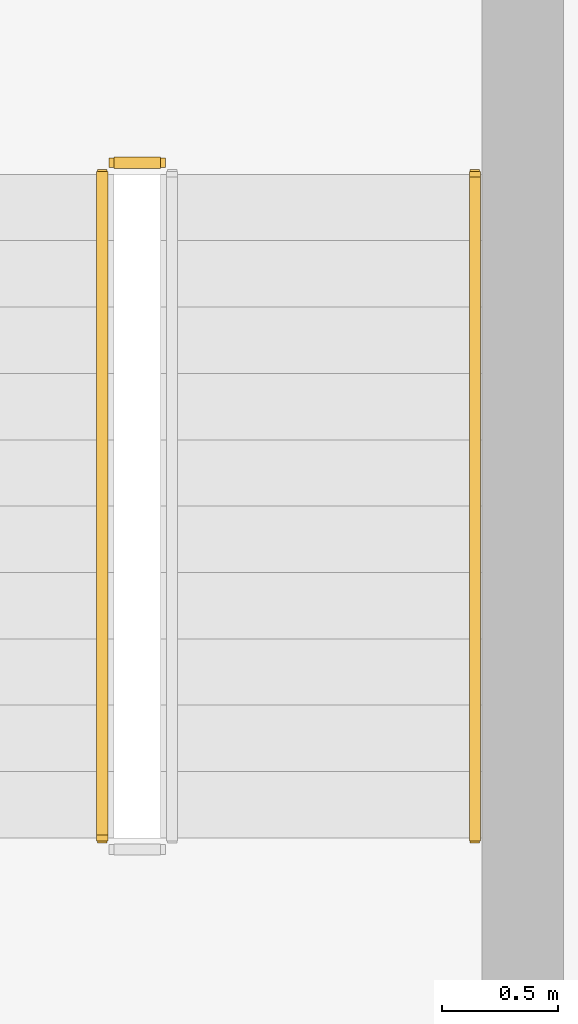
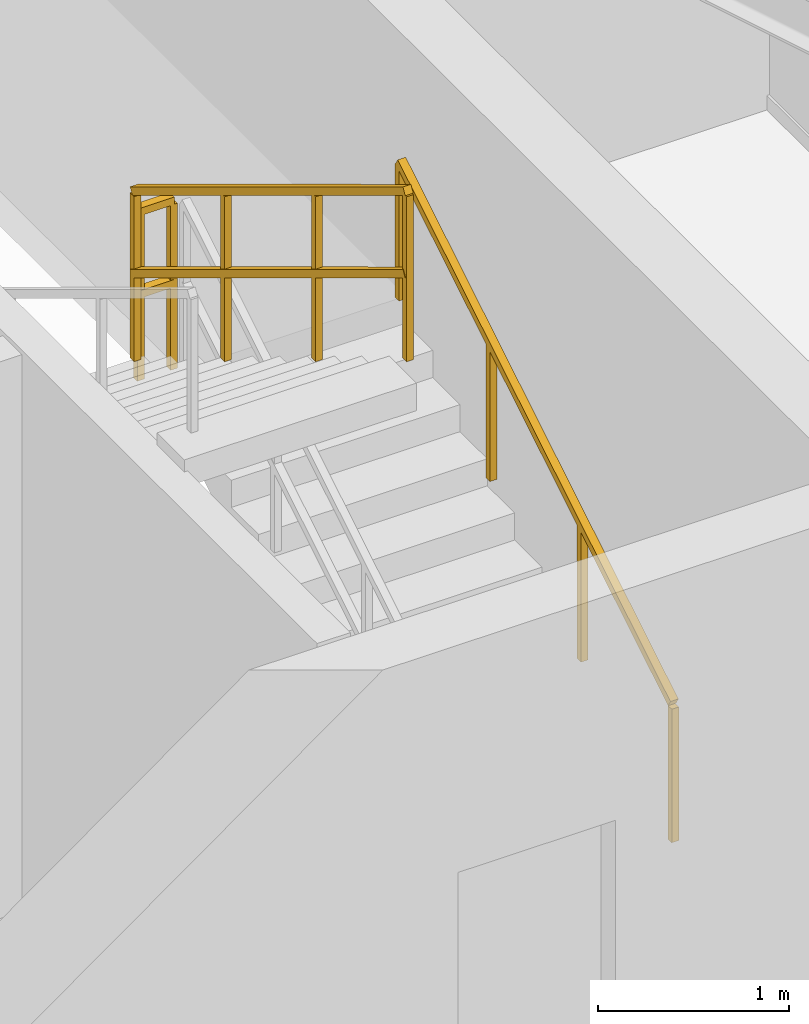
# One storey, part 25 of 25: 3 railings.
"""IFC4 building model written with IfcOpenShell, lengths in metres."""

from ifc_helpers import new_model, si_unit, direction, frame, origin, origin_2d, place, context, subcontext, project, spatial, rectangle, extrude, material, type_object, element, save


model = new_model("IFC4")

# Units and contexts
model_context = context("Model", 3, precision=1e-05, world=origin(), true_north=direction((0.0, 1.0)))
body_context = subcontext(model_context, "Body", "Model", "MODEL_VIEW")
ifc_project = project(units=[si_unit("LENGTHUNIT", "METRE"), si_unit("AREAUNIT", "SQUARE_METRE"), si_unit("VOLUMEUNIT", "CUBIC_METRE"), si_unit("PLANEANGLEUNIT", "RADIAN"), si_unit("MASSUNIT", "GRAM", prefix="KILO")], contexts=[model_context])

# Site, building, storey
site_placement = place(None, origin())
site = spatial("IfcSite", under=ifc_project, at=site_placement, CompositionType="ELEMENT")
building_placement = place(site_placement, origin())
building = spatial("IfcBuilding", under=site, at=building_placement, Name="Varnel Quay Broadcast Tower", CompositionType="ELEMENT")
storey_placement = place(building_placement, frame((0.0, 0.0, 288.800048828125)))
storey = spatial("IfcBuildingStorey", under=building, at=storey_placement, Name="L72", CompositionType="ELEMENT", Elevation=288.800048828125)

# Railings
ifc_material = material(Name="Painted Steel Guard and Handrail CSA G40.21 350W", Category="steel")
railing_type_1 = type_object("IfcRailingType", Name="Rail_StairGuard1100", PredefinedType="GUARDRAIL", material=ifc_material)
railing_1_placement = place(storey_placement, frame((50.60009765625, 40.64990234375, 1.89990234375)))
element("IfcRailing", 1, at=railing_1_placement, inside=storey, type_object=railing_type_1, Name="L72 ST-02 stair guard 2", PredefinedType="GUARDRAIL", context=body_context, shape_type="SweptSolid", body=[
    extrude(rectangle(XDim=0.048095703125, YDim=0.048095703125, at=origin_2d()), frame((0.0, 0.0, 1.076171875), z_axis=(-1.0, 0.0, 0.0), x_axis=(0.0, -1.0, 0.0)), (0.0, 0.0, 1.0), 0.2001953125),
    extrude(rectangle(XDim=0.048095703125, YDim=0.048095703125, at=origin_2d()), frame((0.0, 0.0, 0.550048828125), z_axis=(-1.0, 0.0, 0.0), x_axis=(0.0, -1.0, 0.0)), (0.0, 0.0, 1.0), 0.2001953125),
    extrude(rectangle(XDim=0.0419921875, YDim=0.0419921875, at=origin_2d()), origin(), (0.0, 0.0, 1.0), 1.052001953125),
    extrude(rectangle(XDim=0.0419921875, YDim=0.0419921875, at=origin_2d()), frame((-0.2001953125, 0.0, 0.0)), (0.0, 0.0, 1.0), 1.052001953125),
])
railing_2_placement = place(storey_placement, frame((50.35009765625, 40.60009765625, 2.07275390625)))
element("IfcRailing", 2, at=railing_2_placement, inside=storey, type_object=railing_type_1, Name="L72 ST-02 stair guard 3", PredefinedType="GUARDRAIL", context=body_context, shape_type="SweptSolid", body=[
    extrude(rectangle(XDim=0.048095703125, YDim=0.048095703125, at=origin_2d()), frame((0.0, 0.0, 1.076171875), z_axis=(0.0, -0.855202751398, 0.518293598264), x_axis=(1.0, 0.0, 0.0)), (0.0, 0.0, 1.0), 3.332763671875),
    extrude(rectangle(XDim=0.048095703125, YDim=0.048095703125, at=origin_2d()), frame((0.0, 0.0, 0.550048828125), z_axis=(0.0, -0.855202751398, 0.518293598264), x_axis=(1.0, 0.0, 0.0)), (0.0, 0.0, 1.0), 3.332763671875),
    extrude(rectangle(XDim=0.0419921875, YDim=0.0419921875, at=origin_2d()), origin(), (0.0, 0.0, 1.0), 1.052001953125),
    extrude(rectangle(XDim=0.0419921875, YDim=0.0419921875, at=origin_2d()), frame((0.0, -0.949951171875, 0.57568359375)), (0.0, 0.0, 1.0), 1.052001953125),
    extrude(rectangle(XDim=0.0419921875, YDim=0.0419921875, at=origin_2d()), frame((0.0, -1.900146484375, 1.151611328125)), (0.0, 0.0, 1.0), 1.052001953125),
    extrude(rectangle(XDim=0.0419921875, YDim=0.0419921875, at=origin_2d()), frame((0.0, -2.85009765625, 1.727294921875)), (0.0, 0.0, 1.0), 1.052001953125),
])
railing_type_2 = type_object("IfcRailingType", Name="Rail_StairHandrail900", PredefinedType="HANDRAIL", material=ifc_material)
railing_3_placement = place(storey_placement, frame((51.949951171875, 37.75, 0.172607421875)))
element("IfcRailing", 3, at=railing_3_placement, inside=storey, type_object=railing_type_2, Name="L72 ST-02 stair handrail 1", PredefinedType="HANDRAIL", context=body_context, shape_type="SweptSolid", body=[
    extrude(rectangle(XDim=0.048095703125, YDim=0.048095703125, at=origin_2d()), frame((0.0, 0.0, 0.8759765625), z_axis=(0.0, 0.855202751398, 0.518293598264), x_axis=(-1.0, 0.0, 0.0)), (0.0, 0.0, 1.0), 3.332763671875),
    extrude(rectangle(XDim=0.0419921875, YDim=0.0419921875, at=origin_2d()), origin(), (0.0, 0.0, 1.0), 0.851806640625),
    extrude(rectangle(XDim=0.0419921875, YDim=0.0419921875, at=origin_2d()), frame((0.0, 0.949951171875, 0.57568359375)), (0.0, 0.0, 1.0), 0.851806640625),
    extrude(rectangle(XDim=0.0419921875, YDim=0.0419921875, at=origin_2d()), frame((0.0, 1.900146484375, 1.151611328125)), (0.0, 0.0, 1.0), 0.851806640625),
    extrude(rectangle(XDim=0.0419921875, YDim=0.0419921875, at=origin_2d()), frame((0.0, 2.85009765625, 1.727294921875)), (0.0, 0.0, 1.0), 0.851806640625),
])

save(model, "model.ifc")
